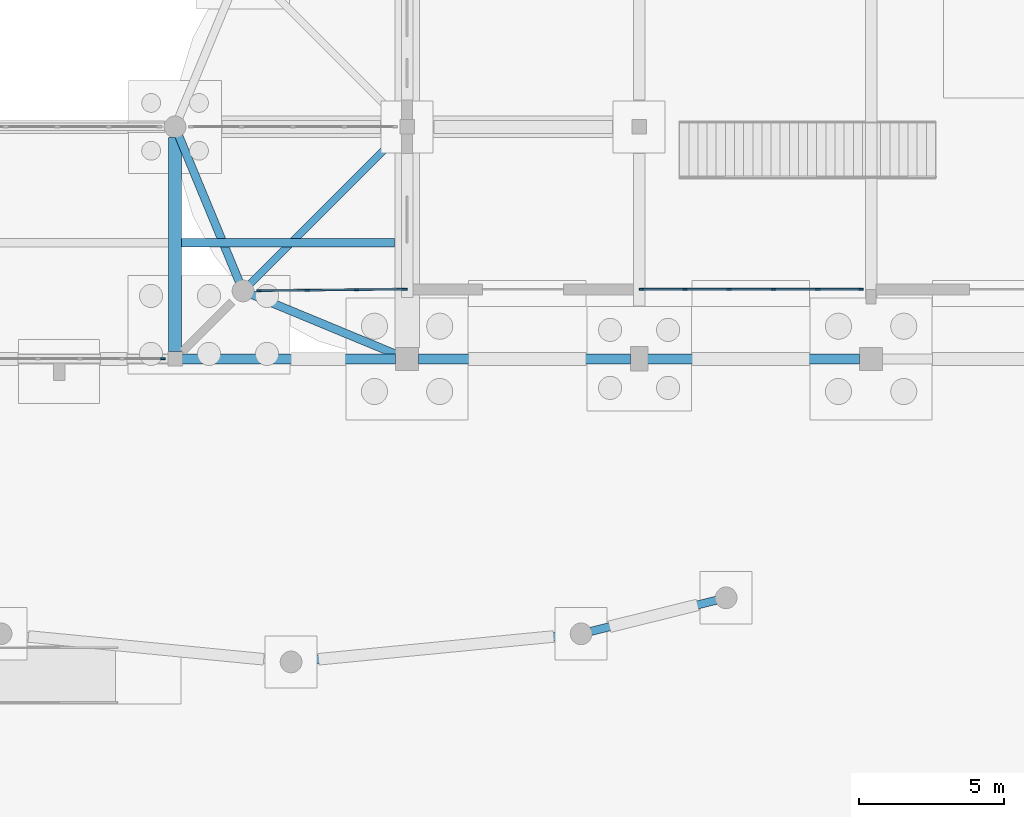
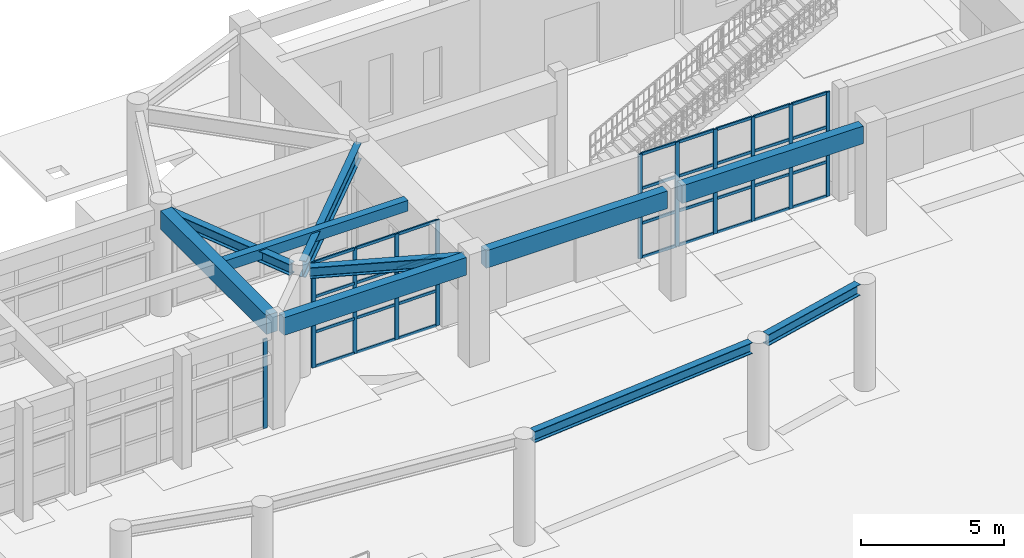
# One storey, part 16 of 68: 43 members, 10 beams, 3 elements without a shape of their own.
"""IFC4 building model written with IfcOpenShell, lengths in metres."""

from ifc_helpers import new_model, si_unit, direction, frame, origin, origin_2d, place, context, subcontext, project, spatial, rectangle, i_section, extrude, material, material_profile, profile_set, type_object, element, aggregate, save


model = new_model("IFC4")

# Units and contexts
model_context = context("Model", 3, precision=1e-05, world=origin(), true_north=direction((0.0, 1.0)))
body_context = subcontext(model_context, "Body", "Model", "MODEL_VIEW")
ifc_project = project(units=[si_unit("LENGTHUNIT", "METRE"), si_unit("AREAUNIT", "SQUARE_METRE"), si_unit("VOLUMEUNIT", "CUBIC_METRE"), si_unit("PLANEANGLEUNIT", "RADIAN"), si_unit("MASSUNIT", "GRAM", prefix="KILO")], contexts=[model_context])

# Site, building, storey
site_placement = place(None, origin())
site = spatial("IfcSite", under=ifc_project, at=site_placement, CompositionType="ELEMENT")
building_placement = place(site_placement, origin())
building = spatial("IfcBuilding", under=site, at=building_placement, Name="Serraluz Foothill Cableway Terminal", CompositionType="ELEMENT")
storey_placement = place(building_placement, origin())
storey = spatial("IfcBuildingStorey", under=building, at=storey_placement, Name="L00", CompositionType="ELEMENT", Elevation=0.0)

# Beams
ifc_material_1 = material(Name="Concrete C35/45 (f'c 35 MPa)", Category="concrete")
ifc_material_profile_1 = material_profile(ifc_material_1, rectangle(XDim=0.449951171875, YDim=0.800048828125, at=origin_2d()), Name="RC 450x800")
ifc_profile_set_1 = profile_set([ifc_material_profile_1], Name="Concrete C35/45 (f'c 35 MPa)")
beam_type_1 = type_object("IfcBeamType", Name="TYP-BM-RC450X800", PredefinedType="BEAM", material=ifc_profile_set_1)
beam_1_placement = place(storey_placement, frame((32.0, 56.24609375, 4.159912109375), z_axis=(0.0, 1.0, 0.0), x_axis=(-1.0, 0.0, 0.0)))
element("IfcBeam", 1, at=beam_1_placement, inside=storey, type_object=beam_type_1, Name="Transverse Girder BM-Y-L00-0128", PredefinedType="BEAM", context=body_context, shape_type="SweptSolid", body=[
    extrude(rectangle(XDim=0.449951171875, YDim=0.800048828125, at=origin_2d()), origin(), (0.0, 0.0, 1.0), 7.3828125),
])
ifc_material_2 = material(Name="Steel ASTM A992 Grade 50", Category="steel")
ifc_material_profile_2 = material_profile(ifc_material_2, i_section(OverallWidth=0.256103515625, OverallDepth=0.693115234375, WebThickness=0.014404296875, FlangeThickness=0.023681640625, FilletRadius=0.02001953125, at=origin_2d()), Name="W27X114")
ifc_profile_set_2 = profile_set([ifc_material_profile_2], Name="Steel ASTM A992 Grade 50")
beam_type_2 = type_object("IfcBeamType", Name="TYP-BM-W27X114", PredefinedType="BEAM", material=ifc_profile_set_2)
beam_2_placement = place(storey_placement, frame((39.886962890625, 63.886962890625, 4.153564453125), z_axis=(-0.707106781187, -0.707106781187, 0.0), x_axis=(0.707106781187, -0.707106781187, 0.0)))
element("IfcBeam", 2, at=beam_2_placement, inside=storey, type_object=beam_type_2, Name="Radial Station Deck Girder W-L00-1", PredefinedType="BEAM", context=body_context, shape_type="SweptSolid", body=[
    extrude(i_section(OverallWidth=0.256103515625, OverallDepth=0.693115234375, WebThickness=0.014404296875, FlangeThickness=0.023681640625, FilletRadius=0.02001953125, at=origin_2d()), origin(), (0.0, 0.0, 1.0), 7.500244140625),
])

# Curtain wall, members
ifc_material_3 = material(Name="Architectural bronze alloy C28000", Category="aluminium")
curtain_wall_type_1 = type_object("IfcCurtainWallType", Name="TYP-CW-720X420", PredefinedType="NOTDEFINED", material=ifc_material_3)
curtain_wall_1_placement = place(storey_placement, origin())
curtain_wall_1 = element("IfcCurtainWall", 3, at=curtain_wall_1_placement, inside=storey, type_object=curtain_wall_type_1, Name="Ribbed Glazed Curtain Wall CW-V1S-L00-48", PredefinedType="NOTDEFINED")
ifc_material_profile_3 = material_profile(ifc_material_3, rectangle(XDim=0.06005859375, YDim=0.159912109375, at=origin_2d()), Name="ALU MULLION 60x160")
ifc_profile_set_3 = profile_set([ifc_material_profile_3], Name="Architectural bronze alloy C28000")
member_type_1 = type_object("IfcMemberType", Name="TYP-CW-MUL-60X160", PredefinedType="MULLION", material=ifc_profile_set_3)
member_1_placement = place(storey_placement, frame((55.655029296875, 58.39990234375, 0.0), z_axis=(0.0, 0.0, 1.0), x_axis=(0.0, -1.0, 0.0)))
member_1 = element("IfcMember", 4, at=member_1_placement, type_object=member_type_1, Name="CW-02 mullion 1", PredefinedType="MULLION", context=body_context, shape_type="SweptSolid", body=[
    extrude(rectangle(XDim=0.06005859375, YDim=0.159912109375, at=origin_2d()), origin(), (0.0, 0.0, 1.0), 4.449951171875),
])
member_2_placement = place(storey_placement, frame((54.158447265625, 58.39990234375, 0.0), z_axis=(0.0, 0.0, 1.0), x_axis=(0.0, -1.0, 0.0)))
member_2 = element("IfcMember", 5, at=member_2_placement, type_object=member_type_1, Name="CW-02 mullion 2", PredefinedType="MULLION", context=body_context, shape_type="SweptSolid", body=[
    extrude(rectangle(XDim=0.06005859375, YDim=0.159912109375, at=origin_2d()), origin(), (0.0, 0.0, 1.0), 4.449951171875),
])
member_3_placement = place(storey_placement, frame((52.6318359375, 58.39990234375, 0.0), z_axis=(0.0, 0.0, 1.0), x_axis=(0.0, -1.0, 0.0)))
member_3 = element("IfcMember", 6, at=member_3_placement, type_object=member_type_1, Name="CW-02 mullion 3", PredefinedType="MULLION", context=body_context, shape_type="SweptSolid", body=[
    extrude(rectangle(XDim=0.06005859375, YDim=0.159912109375, at=origin_2d()), origin(), (0.0, 0.0, 1.0), 4.449951171875),
])
member_4_placement = place(storey_placement, frame((51.105224609375, 58.39990234375, 0.0), z_axis=(0.0, 0.0, 1.0), x_axis=(0.0, -1.0, 0.0)))
member_4 = element("IfcMember", 7, at=member_4_placement, type_object=member_type_1, Name="CW-02 mullion 4", PredefinedType="MULLION", context=body_context, shape_type="SweptSolid", body=[
    extrude(rectangle(XDim=0.06005859375, YDim=0.159912109375, at=origin_2d()), origin(), (0.0, 0.0, 1.0), 4.449951171875),
])
member_5_placement = place(storey_placement, frame((49.57861328125, 58.39990234375, 0.0), z_axis=(0.0, 0.0, 1.0), x_axis=(0.0, -1.0, 0.0)))
member_5 = element("IfcMember", 8, at=member_5_placement, type_object=member_type_1, Name="CW-02 mullion 5", PredefinedType="MULLION", context=body_context, shape_type="SweptSolid", body=[
    extrude(rectangle(XDim=0.06005859375, YDim=0.159912109375, at=origin_2d()), origin(), (0.0, 0.0, 1.0), 4.449951171875),
])
member_6_placement = place(storey_placement, frame((48.08203125, 58.39990234375, 0.0), z_axis=(0.0, 0.0, 1.0), x_axis=(0.0, -1.0, 0.0)))
member_6 = element("IfcMember", 9, at=member_6_placement, type_object=member_type_1, Name="CW-02 mullion 6", PredefinedType="MULLION", context=body_context, shape_type="SweptSolid", body=[
    extrude(rectangle(XDim=0.06005859375, YDim=0.159912109375, at=origin_2d()), origin(), (0.0, 0.0, 1.0), 4.449951171875),
])

# Curtain wall, member
curtain_wall_type_2 = type_object("IfcCurtainWallType", Name="TYP-CW-710X420", PredefinedType="NOTDEFINED", material=ifc_material_3)
curtain_wall_2_placement = place(storey_placement, origin())
curtain_wall_2 = element("IfcCurtainWall", 10, at=curtain_wall_2_placement, inside=storey, type_object=curtain_wall_type_2, Name="Ribbed Glazed Curtain Wall CW-WLS-L00-24", PredefinedType="NOTDEFINED")
member_7_placement = place(storey_placement, frame((31.580078125, 56.0, 0.0), z_axis=(0.0, 0.0, 1.0), x_axis=(0.0, -1.0, 0.0)))
member_7 = element("IfcMember", 11, at=member_7_placement, type_object=member_type_1, Name="CW-01 mullion 1", PredefinedType="MULLION", context=body_context, shape_type="SweptSolid", body=[
    extrude(rectangle(XDim=0.06005859375, YDim=0.159912109375, at=origin_2d()), origin(), (0.0, 0.0, 1.0), 3.81005859375),
])
aggregate(curtain_wall_2, [member_7])

# Curtain wall, members
curtain_wall_type_3 = type_object("IfcCurtainWallType", Name="TYP-CW-540X420", PredefinedType="NOTDEFINED", material=ifc_material_3)
curtain_wall_3_placement = place(storey_placement, origin())
curtain_wall_3 = element("IfcCurtainWall", 12, at=curtain_wall_3_placement, inside=storey, type_object=curtain_wall_type_3, Name="Ribbed Glazed Curtain Wall CW-WLS-L00-32", PredefinedType="NOTDEFINED")
member_8_placement = place(storey_placement, frame((39.91796875, 58.399169921875, 0.0), z_axis=(0.0, 0.0, 1.0), x_axis=(0.010066142226, -0.999949335107, 0.0)))
member_8 = element("IfcMember", 13, at=member_8_placement, type_object=member_type_1, Name="CW-10 mullion 1", PredefinedType="MULLION", context=body_context, shape_type="SweptSolid", body=[
    extrude(rectangle(XDim=0.06005859375, YDim=0.159912109375, at=origin_2d()), origin(), (0.0, 0.0, 1.0), 4.5),
])
member_9_placement = place(storey_placement, frame((38.252685546875, 58.38232421875, 0.0), z_axis=(0.0, 0.0, 1.0), x_axis=(0.010066142226, -0.999949335107, 0.0)))
member_9 = element("IfcMember", 14, at=member_9_placement, type_object=member_type_1, Name="CW-10 mullion 2", PredefinedType="MULLION", context=body_context, shape_type="SweptSolid", body=[
    extrude(rectangle(XDim=0.06005859375, YDim=0.159912109375, at=origin_2d()), origin(), (0.0, 0.0, 1.0), 4.5),
])
member_10_placement = place(storey_placement, frame((36.557373046875, 58.365478515625, 0.0), z_axis=(0.0, 0.0, 1.0), x_axis=(0.010066142226, -0.999949335107, 0.0)))
member_10 = element("IfcMember", 15, at=member_10_placement, type_object=member_type_1, Name="CW-10 mullion 3", PredefinedType="MULLION", context=body_context, shape_type="SweptSolid", body=[
    extrude(rectangle(XDim=0.06005859375, YDim=0.159912109375, at=origin_2d()), origin(), (0.0, 0.0, 1.0), 4.5),
])
member_11_placement = place(storey_placement, frame((34.891845703125, 58.3486328125, 0.0), z_axis=(0.0, 0.0, 1.0), x_axis=(0.010066142226, -0.999949335107, 0.0)))
member_11 = element("IfcMember", 16, at=member_11_placement, type_object=member_type_1, Name="CW-10 mullion 4", PredefinedType="MULLION", context=body_context, shape_type="SweptSolid", body=[
    extrude(rectangle(XDim=0.06005859375, YDim=0.159912109375, at=origin_2d()), origin(), (0.0, 0.0, 1.0), 4.5),
])

# Member
ifc_material_profile_4 = material_profile(ifc_material_3, rectangle(XDim=0.06005859375, YDim=0.1201171875, at=origin_2d()), Name="ALU TRANSOM 60x120")
ifc_profile_set_4 = profile_set([ifc_material_profile_4], Name="Architectural bronze alloy C28000")
member_type_2 = type_object("IfcMemberType", Name="TYP-CW-TRN-60X120", PredefinedType="USERDEFINED", material=ifc_profile_set_4)
member_12_placement = place(storey_placement, frame((55.625, 58.39990234375, 0.030029296875), z_axis=(-1.0, 0.0, 0.0), x_axis=(0.0, -1.0, 0.0)))
member_12 = element("IfcMember", 17, at=member_12_placement, type_object=member_type_2, Name="CW-02 transom 1.1", ObjectType="TRANSOM", PredefinedType="USERDEFINED", context=body_context, shape_type="SweptSolid", body=[
    extrude(rectangle(XDim=0.06005859375, YDim=0.1201171875, at=origin_2d()), origin(), (0.0, 0.0, 1.0), 1.4365234375),
])

member_13_placement = place(storey_placement, frame((55.625, 58.39990234375, 1.4833984375), z_axis=(-1.0, 0.0, 0.0), x_axis=(0.0, -1.0, 0.0)))
member_13 = element("IfcMember", 18, at=member_13_placement, type_object=member_type_2, Name="CW-02 transom 1.2", ObjectType="TRANSOM", PredefinedType="USERDEFINED", context=body_context, shape_type="SweptSolid", body=[
    extrude(rectangle(XDim=0.06005859375, YDim=0.1201171875, at=origin_2d()), origin(), (0.0, 0.0, 1.0), 1.4365234375),
])

member_14_placement = place(storey_placement, frame((55.625, 58.39990234375, 2.966796875), z_axis=(-1.0, 0.0, 0.0), x_axis=(0.0, -1.0, 0.0)))
member_14 = element("IfcMember", 19, at=member_14_placement, type_object=member_type_2, Name="CW-02 transom 1.3", ObjectType="TRANSOM", PredefinedType="USERDEFINED", context=body_context, shape_type="SweptSolid", body=[
    extrude(rectangle(XDim=0.06005859375, YDim=0.1201171875, at=origin_2d()), origin(), (0.0, 0.0, 1.0), 1.4365234375),
])

member_15_placement = place(storey_placement, frame((55.625, 58.39990234375, 4.419921875), z_axis=(-1.0, 0.0, 0.0), x_axis=(0.0, -1.0, 0.0)))
member_15 = element("IfcMember", 20, at=member_15_placement, type_object=member_type_2, Name="CW-02 transom 1.4", ObjectType="TRANSOM", PredefinedType="USERDEFINED", context=body_context, shape_type="SweptSolid", body=[
    extrude(rectangle(XDim=0.06005859375, YDim=0.1201171875, at=origin_2d()), origin(), (0.0, 0.0, 1.0), 1.4365234375),
])

member_16_placement = place(storey_placement, frame((54.12841796875, 58.39990234375, 0.030029296875), z_axis=(-1.0, 0.0, 0.0), x_axis=(0.0, -1.0, 0.0)))
member_16 = element("IfcMember", 21, at=member_16_placement, type_object=member_type_2, Name="CW-02 transom 2.1", ObjectType="TRANSOM", PredefinedType="USERDEFINED", context=body_context, shape_type="SweptSolid", body=[
    extrude(rectangle(XDim=0.06005859375, YDim=0.1201171875, at=origin_2d()), origin(), (0.0, 0.0, 1.0), 1.466552734375),
])

member_17_placement = place(storey_placement, frame((54.12841796875, 58.39990234375, 1.4833984375), z_axis=(-1.0, 0.0, 0.0), x_axis=(0.0, -1.0, 0.0)))
member_17 = element("IfcMember", 22, at=member_17_placement, type_object=member_type_2, Name="CW-02 transom 2.2", ObjectType="TRANSOM", PredefinedType="USERDEFINED", context=body_context, shape_type="SweptSolid", body=[
    extrude(rectangle(XDim=0.06005859375, YDim=0.1201171875, at=origin_2d()), origin(), (0.0, 0.0, 1.0), 1.466552734375),
])

member_18_placement = place(storey_placement, frame((54.12841796875, 58.39990234375, 2.966796875), z_axis=(-1.0, 0.0, 0.0), x_axis=(0.0, -1.0, 0.0)))
member_18 = element("IfcMember", 23, at=member_18_placement, type_object=member_type_2, Name="CW-02 transom 2.3", ObjectType="TRANSOM", PredefinedType="USERDEFINED", context=body_context, shape_type="SweptSolid", body=[
    extrude(rectangle(XDim=0.06005859375, YDim=0.1201171875, at=origin_2d()), origin(), (0.0, 0.0, 1.0), 1.466552734375),
])

member_19_placement = place(storey_placement, frame((54.12841796875, 58.39990234375, 4.419921875), z_axis=(-1.0, 0.0, 0.0), x_axis=(0.0, -1.0, 0.0)))
member_19 = element("IfcMember", 24, at=member_19_placement, type_object=member_type_2, Name="CW-02 transom 2.4", ObjectType="TRANSOM", PredefinedType="USERDEFINED", context=body_context, shape_type="SweptSolid", body=[
    extrude(rectangle(XDim=0.06005859375, YDim=0.1201171875, at=origin_2d()), origin(), (0.0, 0.0, 1.0), 1.466552734375),
])

member_20_placement = place(storey_placement, frame((52.601806640625, 58.39990234375, 0.030029296875), z_axis=(-1.0, 0.0, 0.0), x_axis=(0.0, -1.0, 0.0)))
member_20 = element("IfcMember", 25, at=member_20_placement, type_object=member_type_2, Name="CW-02 transom 3.1", ObjectType="TRANSOM", PredefinedType="USERDEFINED", context=body_context, shape_type="SweptSolid", body=[
    extrude(rectangle(XDim=0.06005859375, YDim=0.1201171875, at=origin_2d()), origin(), (0.0, 0.0, 1.0), 1.466552734375),
])

member_21_placement = place(storey_placement, frame((52.601806640625, 58.39990234375, 1.4833984375), z_axis=(-1.0, 0.0, 0.0), x_axis=(0.0, -1.0, 0.0)))
member_21 = element("IfcMember", 26, at=member_21_placement, type_object=member_type_2, Name="CW-02 transom 3.2", ObjectType="TRANSOM", PredefinedType="USERDEFINED", context=body_context, shape_type="SweptSolid", body=[
    extrude(rectangle(XDim=0.06005859375, YDim=0.1201171875, at=origin_2d()), origin(), (0.0, 0.0, 1.0), 1.466552734375),
])

member_22_placement = place(storey_placement, frame((52.601806640625, 58.39990234375, 2.966796875), z_axis=(-1.0, 0.0, 0.0), x_axis=(0.0, -1.0, 0.0)))
member_22 = element("IfcMember", 27, at=member_22_placement, type_object=member_type_2, Name="CW-02 transom 3.3", ObjectType="TRANSOM", PredefinedType="USERDEFINED", context=body_context, shape_type="SweptSolid", body=[
    extrude(rectangle(XDim=0.06005859375, YDim=0.1201171875, at=origin_2d()), origin(), (0.0, 0.0, 1.0), 1.466552734375),
])

member_23_placement = place(storey_placement, frame((52.601806640625, 58.39990234375, 4.419921875), z_axis=(-1.0, 0.0, 0.0), x_axis=(0.0, -1.0, 0.0)))
member_23 = element("IfcMember", 28, at=member_23_placement, type_object=member_type_2, Name="CW-02 transom 3.4", ObjectType="TRANSOM", PredefinedType="USERDEFINED", context=body_context, shape_type="SweptSolid", body=[
    extrude(rectangle(XDim=0.06005859375, YDim=0.1201171875, at=origin_2d()), origin(), (0.0, 0.0, 1.0), 1.466552734375),
])

member_24_placement = place(storey_placement, frame((51.0751953125, 58.39990234375, 0.030029296875), z_axis=(-1.0, 0.0, 0.0), x_axis=(0.0, -1.0, 0.0)))
member_24 = element("IfcMember", 29, at=member_24_placement, type_object=member_type_2, Name="CW-02 transom 4.1", ObjectType="TRANSOM", PredefinedType="USERDEFINED", context=body_context, shape_type="SweptSolid", body=[
    extrude(rectangle(XDim=0.06005859375, YDim=0.1201171875, at=origin_2d()), origin(), (0.0, 0.0, 1.0), 1.466552734375),
])

member_25_placement = place(storey_placement, frame((51.0751953125, 58.39990234375, 1.4833984375), z_axis=(-1.0, 0.0, 0.0), x_axis=(0.0, -1.0, 0.0)))
member_25 = element("IfcMember", 30, at=member_25_placement, type_object=member_type_2, Name="CW-02 transom 4.2", ObjectType="TRANSOM", PredefinedType="USERDEFINED", context=body_context, shape_type="SweptSolid", body=[
    extrude(rectangle(XDim=0.06005859375, YDim=0.1201171875, at=origin_2d()), origin(), (0.0, 0.0, 1.0), 1.466552734375),
])

member_26_placement = place(storey_placement, frame((51.0751953125, 58.39990234375, 2.966796875), z_axis=(-1.0, 0.0, 0.0), x_axis=(0.0, -1.0, 0.0)))
member_26 = element("IfcMember", 31, at=member_26_placement, type_object=member_type_2, Name="CW-02 transom 4.3", ObjectType="TRANSOM", PredefinedType="USERDEFINED", context=body_context, shape_type="SweptSolid", body=[
    extrude(rectangle(XDim=0.06005859375, YDim=0.1201171875, at=origin_2d()), origin(), (0.0, 0.0, 1.0), 1.466552734375),
])

member_27_placement = place(storey_placement, frame((51.0751953125, 58.39990234375, 4.419921875), z_axis=(-1.0, 0.0, 0.0), x_axis=(0.0, -1.0, 0.0)))
member_27 = element("IfcMember", 32, at=member_27_placement, type_object=member_type_2, Name="CW-02 transom 4.4", ObjectType="TRANSOM", PredefinedType="USERDEFINED", context=body_context, shape_type="SweptSolid", body=[
    extrude(rectangle(XDim=0.06005859375, YDim=0.1201171875, at=origin_2d()), origin(), (0.0, 0.0, 1.0), 1.466552734375),
])

member_28_placement = place(storey_placement, frame((49.548583984375, 58.39990234375, 0.030029296875), z_axis=(-1.0, 0.0, 0.0), x_axis=(0.0, -1.0, 0.0)))
member_28 = element("IfcMember", 33, at=member_28_placement, type_object=member_type_2, Name="CW-02 transom 5.1", ObjectType="TRANSOM", PredefinedType="USERDEFINED", context=body_context, shape_type="SweptSolid", body=[
    extrude(rectangle(XDim=0.06005859375, YDim=0.1201171875, at=origin_2d()), origin(), (0.0, 0.0, 1.0), 1.4365234375),
])

member_29_placement = place(storey_placement, frame((49.548583984375, 58.39990234375, 1.4833984375), z_axis=(-1.0, 0.0, 0.0), x_axis=(0.0, -1.0, 0.0)))
member_29 = element("IfcMember", 34, at=member_29_placement, type_object=member_type_2, Name="CW-02 transom 5.2", ObjectType="TRANSOM", PredefinedType="USERDEFINED", context=body_context, shape_type="SweptSolid", body=[
    extrude(rectangle(XDim=0.06005859375, YDim=0.1201171875, at=origin_2d()), origin(), (0.0, 0.0, 1.0), 1.4365234375),
])

member_30_placement = place(storey_placement, frame((49.548583984375, 58.39990234375, 2.966796875), z_axis=(-1.0, 0.0, 0.0), x_axis=(0.0, -1.0, 0.0)))
member_30 = element("IfcMember", 35, at=member_30_placement, type_object=member_type_2, Name="CW-02 transom 5.3", ObjectType="TRANSOM", PredefinedType="USERDEFINED", context=body_context, shape_type="SweptSolid", body=[
    extrude(rectangle(XDim=0.06005859375, YDim=0.1201171875, at=origin_2d()), origin(), (0.0, 0.0, 1.0), 1.4365234375),
])

member_31_placement = place(storey_placement, frame((49.548583984375, 58.39990234375, 4.419921875), z_axis=(-1.0, 0.0, 0.0), x_axis=(0.0, -1.0, 0.0)))
member_31 = element("IfcMember", 36, at=member_31_placement, type_object=member_type_2, Name="CW-02 transom 5.4", ObjectType="TRANSOM", PredefinedType="USERDEFINED", context=body_context, shape_type="SweptSolid", body=[
    extrude(rectangle(XDim=0.06005859375, YDim=0.1201171875, at=origin_2d()), origin(), (0.0, 0.0, 1.0), 1.4365234375),
])

aggregate(curtain_wall_1, [member_1, member_2, member_3, member_4, member_5, member_6, member_12, member_13, member_14, member_15, member_16, member_17, member_18, member_19, member_20, member_21, member_22, member_23, member_24, member_25, member_26, member_27, member_28, member_29, member_30, member_31])

member_32_placement = place(storey_placement, frame((39.887939453125, 58.39892578125, 0.030029296875), z_axis=(-0.999949622856, -0.010037517127, 0.0), x_axis=(0.010037517127, -0.999949622856, 0.0)))
member_32 = element("IfcMember", 37, at=member_32_placement, type_object=member_type_2, Name="CW-10 transom 1.1", ObjectType="TRANSOM", PredefinedType="USERDEFINED", context=body_context, shape_type="SweptSolid", body=[
    extrude(rectangle(XDim=0.06005859375, YDim=0.1201171875, at=origin_2d()), origin(), (0.0, 0.0, 1.0), 1.605224609375),
])

member_33_placement = place(storey_placement, frame((39.887939453125, 58.39892578125, 1.5), z_axis=(-0.999949622856, -0.010037517127, 0.0), x_axis=(0.010037517127, -0.999949622856, 0.0)))
member_33 = element("IfcMember", 38, at=member_33_placement, type_object=member_type_2, Name="CW-10 transom 1.2", ObjectType="TRANSOM", PredefinedType="USERDEFINED", context=body_context, shape_type="SweptSolid", body=[
    extrude(rectangle(XDim=0.06005859375, YDim=0.1201171875, at=origin_2d()), origin(), (0.0, 0.0, 1.0), 1.605224609375),
])

member_34_placement = place(storey_placement, frame((39.887939453125, 58.39892578125, 3.0), z_axis=(-0.999949622856, -0.010037517127, 0.0), x_axis=(0.010037517127, -0.999949622856, 0.0)))
member_34 = element("IfcMember", 39, at=member_34_placement, type_object=member_type_2, Name="CW-10 transom 1.3", ObjectType="TRANSOM", PredefinedType="USERDEFINED", context=body_context, shape_type="SweptSolid", body=[
    extrude(rectangle(XDim=0.06005859375, YDim=0.1201171875, at=origin_2d()), origin(), (0.0, 0.0, 1.0), 1.605224609375),
])

member_35_placement = place(storey_placement, frame((39.887939453125, 58.39892578125, 4.469970703125), z_axis=(-0.999949622856, -0.010037517127, 0.0), x_axis=(0.010037517127, -0.999949622856, 0.0)))
member_35 = element("IfcMember", 40, at=member_35_placement, type_object=member_type_2, Name="CW-10 transom 1.4", ObjectType="TRANSOM", PredefinedType="USERDEFINED", context=body_context, shape_type="SweptSolid", body=[
    extrude(rectangle(XDim=0.06005859375, YDim=0.1201171875, at=origin_2d()), origin(), (0.0, 0.0, 1.0), 1.605224609375),
])

member_36_placement = place(storey_placement, frame((38.22265625, 58.382080078125, 0.030029296875), z_axis=(-0.999949988823, -0.010000992574, 0.0), x_axis=(0.010000992574, -0.999949988823, 0.0)))
member_36 = element("IfcMember", 41, at=member_36_placement, type_object=member_type_2, Name="CW-10 transom 2.1", ObjectType="TRANSOM", PredefinedType="USERDEFINED", context=body_context, shape_type="SweptSolid", body=[
    extrude(rectangle(XDim=0.06005859375, YDim=0.1201171875, at=origin_2d()), origin(), (0.0, 0.0, 1.0), 1.635498046875),
])

member_37_placement = place(storey_placement, frame((38.22265625, 58.382080078125, 1.5), z_axis=(-0.999949988823, -0.010000992574, 0.0), x_axis=(0.010000992574, -0.999949988823, 0.0)))
member_37 = element("IfcMember", 42, at=member_37_placement, type_object=member_type_2, Name="CW-10 transom 2.2", ObjectType="TRANSOM", PredefinedType="USERDEFINED", context=body_context, shape_type="SweptSolid", body=[
    extrude(rectangle(XDim=0.06005859375, YDim=0.1201171875, at=origin_2d()), origin(), (0.0, 0.0, 1.0), 1.635498046875),
])

member_38_placement = place(storey_placement, frame((38.22265625, 58.382080078125, 3.0), z_axis=(-0.999949988823, -0.010000992574, 0.0), x_axis=(0.010000992574, -0.999949988823, 0.0)))
member_38 = element("IfcMember", 43, at=member_38_placement, type_object=member_type_2, Name="CW-10 transom 2.3", ObjectType="TRANSOM", PredefinedType="USERDEFINED", context=body_context, shape_type="SweptSolid", body=[
    extrude(rectangle(XDim=0.06005859375, YDim=0.1201171875, at=origin_2d()), origin(), (0.0, 0.0, 1.0), 1.635498046875),
])

member_39_placement = place(storey_placement, frame((38.22265625, 58.382080078125, 4.469970703125), z_axis=(-0.999949988823, -0.010000992574, 0.0), x_axis=(0.010000992574, -0.999949988823, 0.0)))
member_39 = element("IfcMember", 44, at=member_39_placement, type_object=member_type_2, Name="CW-10 transom 2.4", ObjectType="TRANSOM", PredefinedType="USERDEFINED", context=body_context, shape_type="SweptSolid", body=[
    extrude(rectangle(XDim=0.06005859375, YDim=0.1201171875, at=origin_2d()), origin(), (0.0, 0.0, 1.0), 1.635498046875),
])

member_40_placement = place(storey_placement, frame((36.52734375, 58.364990234375, 0.030029296875), z_axis=(-0.999949638175, -0.010035990894, 0.0), x_axis=(0.010035990894, -0.999949638175, 0.0)))
member_40 = element("IfcMember", 45, at=member_40_placement, type_object=member_type_2, Name="CW-10 transom 3.1", ObjectType="TRANSOM", PredefinedType="USERDEFINED", context=body_context, shape_type="SweptSolid", body=[
    extrude(rectangle(XDim=0.06005859375, YDim=0.1201171875, at=origin_2d()), origin(), (0.0, 0.0, 1.0), 1.60546875),
])

member_41_placement = place(storey_placement, frame((36.52734375, 58.364990234375, 1.5), z_axis=(-0.999949638175, -0.010035990894, 0.0), x_axis=(0.010035990894, -0.999949638175, 0.0)))
member_41 = element("IfcMember", 46, at=member_41_placement, type_object=member_type_2, Name="CW-10 transom 3.2", ObjectType="TRANSOM", PredefinedType="USERDEFINED", context=body_context, shape_type="SweptSolid", body=[
    extrude(rectangle(XDim=0.06005859375, YDim=0.1201171875, at=origin_2d()), origin(), (0.0, 0.0, 1.0), 1.60546875),
])

member_42_placement = place(storey_placement, frame((36.52734375, 58.364990234375, 3.0), z_axis=(-0.999949638175, -0.010035990894, 0.0), x_axis=(0.010035990894, -0.999949638175, 0.0)))
member_42 = element("IfcMember", 47, at=member_42_placement, type_object=member_type_2, Name="CW-10 transom 3.3", ObjectType="TRANSOM", PredefinedType="USERDEFINED", context=body_context, shape_type="SweptSolid", body=[
    extrude(rectangle(XDim=0.06005859375, YDim=0.1201171875, at=origin_2d()), origin(), (0.0, 0.0, 1.0), 1.60546875),
])

member_43_placement = place(storey_placement, frame((36.52734375, 58.364990234375, 4.469970703125), z_axis=(-0.999949638175, -0.010035990894, 0.0), x_axis=(0.010035990894, -0.999949638175, 0.0)))
member_43 = element("IfcMember", 48, at=member_43_placement, type_object=member_type_2, Name="CW-10 transom 3.4", ObjectType="TRANSOM", PredefinedType="USERDEFINED", context=body_context, shape_type="SweptSolid", body=[
    extrude(rectangle(XDim=0.06005859375, YDim=0.1201171875, at=origin_2d()), origin(), (0.0, 0.0, 1.0), 1.60546875),
])

aggregate(curtain_wall_3, [member_8, member_9, member_10, member_11, member_32, member_33, member_34, member_35, member_36, member_37, member_38, member_39, member_40, member_41, member_42, member_43])

# Beams
ifc_material_4 = material(Name="Concrete C28/35 (f'c 28 MPa)", Category="concrete")
ifc_material_profile_5 = material_profile(ifc_material_4, rectangle(XDim=0.300048828125, YDim=0.449951171875, at=origin_2d()), Name="RC 300x450")
ifc_profile_set_5 = profile_set([ifc_material_profile_5], Name="Concrete C28/35 (f'c 28 MPa)")
beam_type_3 = type_object("IfcBeamType", Name="TYP-JS-RC300X450", PredefinedType="JOIST", material=ifc_profile_set_5)
beam_3_placement = place(storey_placement, frame((32.22998046875, 60.0, 4.3349609375), z_axis=(1.0, 0.0, 0.0), x_axis=(0.0, 1.0, 0.0)))
element("IfcBeam", 49, at=beam_3_placement, inside=storey, type_object=beam_type_3, Name="Secondary Floor Joist JS-L00-0017", PredefinedType="JOIST", context=body_context, shape_type="SweptSolid", body=[
    extrude(rectangle(XDim=0.300048828125, YDim=0.449951171875, at=origin_2d()), origin(), (0.0, 0.0, 1.0), 7.340087890625),
])
ifc_material_5 = material(Name="Precast concrete C40/50", Category="concrete")
ifc_material_profile_6 = material_profile(ifc_material_5, rectangle(XDim=0.35009765625, YDim=0.75, at=origin_2d()), Name="RC SP 350x750")
ifc_profile_set_6 = profile_set([ifc_material_profile_6], Name="Precast concrete C40/50")
beam_type_4 = type_object("IfcBeamType", Name="TYP-SP-RC350X750", PredefinedType="SPANDREL", material=ifc_profile_set_6)
beam_4_placement = place(storey_placement, frame((32.24609375, 56.0, 4.18505859375), z_axis=(1.0, 0.0, 0.0), x_axis=(0.0, 1.0, 0.0)))
element("IfcBeam", 50, at=beam_4_placement, inside=storey, type_object=beam_type_4, Name="Primary Girder BM-X-L00-0060", PredefinedType="SPANDREL", context=body_context, shape_type="SweptSolid", body=[
    extrude(rectangle(XDim=0.35009765625, YDim=0.75, at=origin_2d()), origin(), (0.0, 0.0, 1.0), 7.35791015625),
])
for number, where, z_axis, x_axis, name in (
    (51, (40.39599609375, 56.0, 4.18505859375), (1.0, 0.0, 0.0), (0.0, 1.0, 0.0), "Primary Girder BM-X-L00-0061"),
    (52, (48.2958984375, 56.0, 4.18505859375), (1.0, 0.0, 0.0), (0.0, 1.0, 0.0), "Primary Girder BM-X-L00-0062"),
):
    element("IfcBeam", number, at=place(storey_placement, frame(where, z_axis=z_axis, x_axis=x_axis)), inside=storey, type_object=beam_type_4, Name=name, PredefinedType="SPANDREL", context=body_context, shape_type="SweptSolid", body=[
        extrude(rectangle(XDim=0.35009765625, YDim=0.75, at=origin_2d()), origin(), (0.0, 0.0, 1.0), 7.30810546875),
    ])
ifc_material_profile_7 = material_profile(ifc_material_2, i_section(OverallWidth=0.282958984375, OverallDepth=0.471923828125, WebThickness=0.013671875, FlangeThickness=0.022216796875, FilletRadius=0.014892578125, at=origin_2d()), Name="W18X97")
ifc_profile_set_7 = profile_set([ifc_material_profile_7], Name="Steel ASTM A992 Grade 50")
beam_type_5 = type_object("IfcBeamType", Name="TYP-SP-W18X97", PredefinedType="SPANDREL", material=ifc_profile_set_7)
beam_5_placement = place(storey_placement, frame((36.348388671875, 45.583740234375, 4.323974609375), z_axis=(0.995321615622, 0.096617190369, 0.0), x_axis=(-0.096617190369, 0.995321615622, 0.0)))
element("IfcBeam", 53, at=beam_5_placement, inside=storey, type_object=beam_type_5, Name="Plaza Canopy Arc Edge Beam 3", PredefinedType="SPANDREL", context=body_context, shape_type="SweptSolid", body=[
    extrude(i_section(OverallWidth=0.282958984375, OverallDepth=0.471923828125, WebThickness=0.013671875, FlangeThickness=0.022216796875, FilletRadius=0.014892578125, at=origin_2d()), origin(), (0.0, 0.0, 1.0), 9.346923828125),
])
beam_6_placement = place(storey_placement, frame((46.339599609375, 46.604736328125, 4.323974609375), z_axis=(0.970598864102, 0.240702814699, 0.0), x_axis=(-0.240702814699, 0.970598864102, 0.0)))
element("IfcBeam", 54, at=beam_6_placement, inside=storey, type_object=beam_type_5, Name="Plaza Canopy Arc Edge Beam 4", PredefinedType="SPANDREL", context=body_context, shape_type="SweptSolid", body=[
    extrude(i_section(OverallWidth=0.282958984375, OverallDepth=0.471923828125, WebThickness=0.013671875, FlangeThickness=0.022216796875, FilletRadius=0.014892578125, at=origin_2d()), origin(), (0.0, 0.0, 1.0), 4.45166015625),
])
for number, where, z_axis, x_axis, name in (
    (55, (39.685791015625, 56.130126953125, 4.263916015625), (-0.923888361565, 0.382662116449, 0.0), (-0.382662116449, -0.923888361565, 0.0), "Curved End Ring Beam W-L00-1"),
    (56, (34.212890625, 58.6572265625, 4.263916015625), (-0.382662116449, 0.923888361565, 0.0), (-0.923888361565, -0.382662116449, 0.0), "Curved End Ring Beam W-L00-2"),
):
    element("IfcBeam", number, at=place(storey_placement, frame(where, z_axis=z_axis, x_axis=x_axis)), inside=storey, type_object=beam_type_5, Name=name, PredefinedType="SPANDREL", context=body_context, shape_type="SweptSolid", body=[
        extrude(i_section(OverallWidth=0.282958984375, OverallDepth=0.471923828125, WebThickness=0.013671875, FlangeThickness=0.022216796875, FilletRadius=0.014892578125, at=origin_2d()), origin(), (0.0, 0.0, 1.0), 5.44287109375),
    ])

save(model, "model.ifc")
